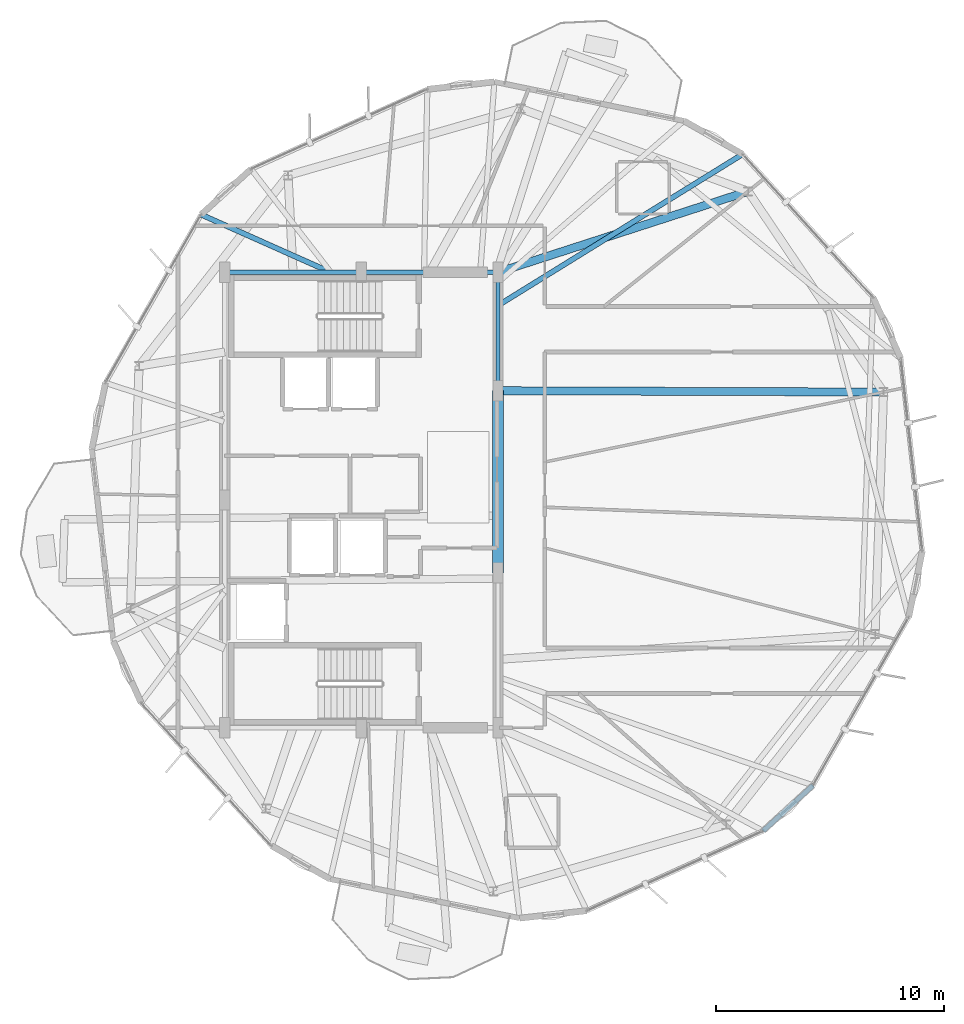
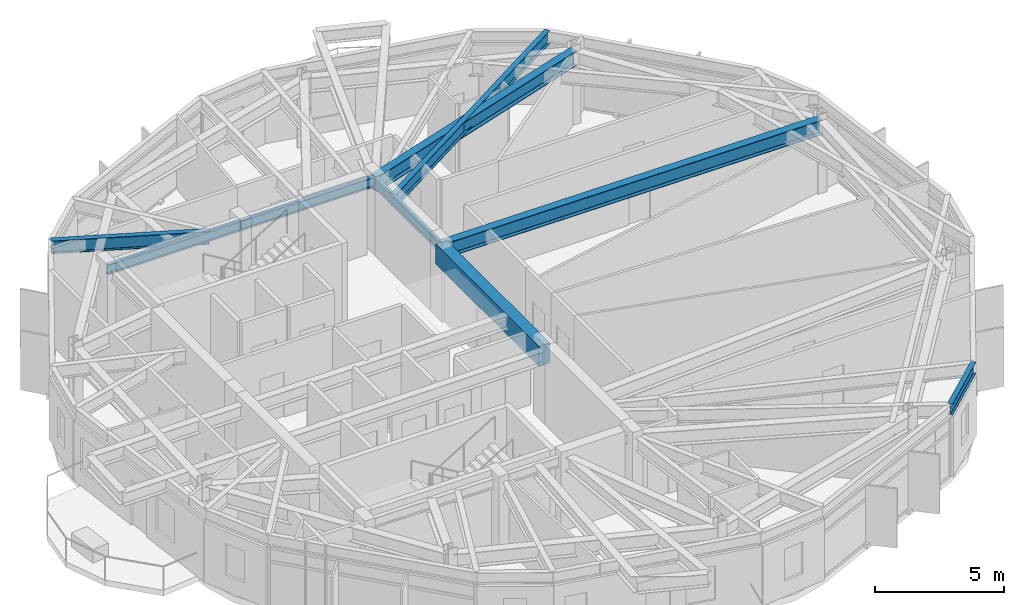
# One storey, part 9 of 23: 9 beams.
"""IFC4 building model written with IfcOpenShell, lengths in metres."""

import ifcopenshell
import ifcopenshell.guid

model = None  # the IFC model being written
_history = None  # IfcOwnerHistory: only IFC2X3 demands one
_inside = {}  # id of a spatial element -> (the spatial element, [elements in it])
_under = {}  # id of a project, library or spatial element -> (it, [spatial elements below it])
_declared = {}  # id of a project -> (the project, [libraries it declares])
_typed = {}  # id of a type object -> (the type object, [elements of that type])
_made_of = {}  # id of a material, layer set ... -> (it, [elements and type objects made of it])


def new_model(schema):
    """Start an empty IFC model of exactly this schema.

    Asked for "IFC4X3", IfcOpenShell would pick the latest addendum, in which some entities
    have other attributes; the version numbers below select the first issue.
    IFC2X3 requires an IfcOwnerHistory on every rooted entity: one is made here for all.
    """
    global model, _history
    if schema == "IFC4X3":
        model = ifcopenshell.file(schema_version=(4, 3, 0, 0))
    else:
        model = ifcopenshell.file(schema=schema)
    _inside.clear()
    _under.clear()
    _declared.clear()
    _typed.clear()
    _made_of.clear()
    _history = None
    if model.schema == "IFC2X3":
        org = make("IfcOrganization", Name="unknown")
        user = make(
            "IfcPersonAndOrganization",
            ThePerson=make("IfcPerson", FamilyName="unknown"),
            TheOrganization=org,
        )
        app = make(
            "IfcApplication",
            ApplicationDeveloper=org,
            Version="unknown",
            ApplicationFullName="unknown",
            ApplicationIdentifier="unknown",
        )
        _history = make(
            "IfcOwnerHistory",
            OwningUser=user,
            OwningApplication=app,
            ChangeAction="ADDED",
            CreationDate=0,
        )
    return model


def make(cls, **values):
    """One entity of the class cls with the attributes given. An attribute that is None is left unset."""
    return model.create_entity(
        cls, **{name: value for name, value in values.items() if value is not None}
    )


def rooted(cls, **values):
    """An entity with a GlobalId (a new one), such as an element, a storey or a relation."""
    return make(cls, GlobalId=ifcopenshell.guid.new(), OwnerHistory=_history, **values)


def si_unit(unit_type, name, prefix=None):
    """IfcSIUnit, for example si_unit("LENGTHUNIT", "METRE", prefix="MILLI")."""
    return make("IfcSIUnit", UnitType=unit_type, Prefix=prefix, Name=name)


def assignment(units):
    """IfcUnitAssignment: the units of a project."""
    return None if units is None else make("IfcUnitAssignment", Units=units)


def point(xyz):
    """IfcCartesianPoint."""
    return None if xyz is None else make("IfcCartesianPoint", Coordinates=xyz)


def direction(xyz):
    """IfcDirection."""
    return None if xyz is None else make("IfcDirection", DirectionRatios=xyz)


def frame(location, z_axis=None, x_axis=None):
    """IfcAxis2Placement3D, a coordinate frame: its origin and axes. An axis left out is left unset."""
    return make(
        "IfcAxis2Placement3D",
        Location=point(location),
        Axis=direction(z_axis),
        RefDirection=direction(x_axis),
    )


def frame_2d(location, x_axis=None):
    """IfcAxis2Placement2D, a coordinate frame in the plane: its origin and x axis."""
    return make(
        "IfcAxis2Placement2D", Location=point(location), RefDirection=direction(x_axis)
    )


def origin():
    """The frame at (0, 0, 0) with its axes left unset."""
    return frame((0.0, 0.0, 0.0))


def origin_2d():
    """The frame at (0, 0) in the plane with its x axis left unset."""
    return frame_2d((0.0, 0.0))


def place(relative_to, where):
    """IfcLocalPlacement: puts the frame where relative to a parent placement (None: the world)."""
    return make(
        "IfcLocalPlacement", PlacementRelTo=relative_to, RelativePlacement=where
    )


def context(
    kind, dimensions, precision=None, world=None, true_north=None, identifier=None
):
    """IfcGeometricRepresentationContext, for example the 3D "Model" context."""
    return make(
        "IfcGeometricRepresentationContext",
        ContextIdentifier=identifier,
        ContextType=kind,
        CoordinateSpaceDimension=dimensions,
        Precision=precision,
        WorldCoordinateSystem=world,
        TrueNorth=true_north,
    )


def subcontext(parent, identifier, kind, view, scale=None):
    """IfcGeometricRepresentationSubContext, for example "Body" below "Model"."""
    return make(
        "IfcGeometricRepresentationSubContext",
        ContextIdentifier=identifier,
        ContextType=kind,
        ParentContext=parent,
        TargetScale=scale,
        TargetView=view,
    )


def project(units=None, contexts=None):
    """IfcProject with its units and contexts."""
    return rooted(
        "IfcProject",
        Name="project",
        RepresentationContexts=contexts,
        UnitsInContext=assignment(units),
    )


def spatial(cls, under=None, at=None, **own):
    """A site, building, storey or space (cls), placed at a placement, below another one or the project."""
    s = rooted(cls, ObjectPlacement=at, **own)
    if under is not None:
        _under.setdefault(under.id(), (under, []))[1].append(s)
    return s


def profile(cls, at=None, kind="AREA", **sizes):
    """A parametric profile (cls). Its sizes go by their IFC names, for example OverallWidth=200.0."""
    return make(cls, ProfileType=kind, Position=at, **sizes)


def rectangle(**sizes):
    """IfcRectangleProfileDef."""
    return profile("IfcRectangleProfileDef", **sizes)


def i_section(**sizes):
    """IfcIShapeProfileDef."""
    return profile("IfcIShapeProfileDef", **sizes)


def extrude(swept, where, along, depth):
    """IfcExtrudedAreaSolid: the profile swept, set in the frame where, extruded along a direction by depth."""
    return make(
        "IfcExtrudedAreaSolid",
        SweptArea=swept,
        Position=where,
        ExtrudedDirection=direction(along),
        Depth=depth,
    )


def shape(context_of_items, identifier, shape_type, items):
    """IfcShapeRepresentation: the items that make up one representation, for example the "Body"."""
    return make(
        "IfcShapeRepresentation",
        ContextOfItems=context_of_items,
        RepresentationIdentifier=identifier,
        RepresentationType=shape_type,
        Items=items,
    )


def material(Name=None, Category=None):
    """IfcMaterial."""
    return make("IfcMaterial", Name=Name, Category=Category)


def material_profile(
    of_material, cross_section, Name=None, Category=None, Priority=None
):
    """IfcMaterialProfile: a cross section and its material."""
    return make(
        "IfcMaterialProfile",
        Name=Name,
        Material=of_material,
        Profile=cross_section,
        Priority=Priority,
        Category=Category,
    )


def profile_set(profiles, Name=None, composite=None):
    """IfcMaterialProfileSet."""
    return make(
        "IfcMaterialProfileSet",
        Name=Name,
        MaterialProfiles=profiles,
        CompositeProfile=composite,
    )


def made_of(thing, what):
    """Note that an element or type object is made of a material, layer set ...; save() writes the relation."""
    if what is not None:
        _made_of.setdefault(what.id(), (what, []))[1].append(thing)
    return thing


def type_object(cls, material=None, **own):
    """A type object (cls), such as IfcWallType, which elements share."""
    return made_of(rooted(cls, **own), material)


def element(
    cls,
    number,
    at=None,
    inside=None,
    cuts=None,
    type_object=None,
    material=None,
    context=None,
    identifier="Body",
    shape_type=None,
    held_by="IfcProductDefinitionShape",
    body=None,
    shapes=None,
    **own,
):
    """One element of the class cls, such as IfcWall. Its Tag is "e" and its number.

    at: its placement. inside: the storey or other place that contains it. cuts: it is an
    opening in that element (IfcRelVoidsElement). A single representation is given by context,
    identifier, shape_type and body (its items); several are given by shapes. held_by: the class
    of the entity that holds the representations. save() writes the other relations.
    """
    e = rooted(cls, Tag="e%d" % number, ObjectPlacement=at, **own)
    if body is not None:
        shapes = [shape(context, identifier, shape_type, body)]
    if shapes is not None:
        e.Representation = make(held_by, Representations=shapes)
    if inside is not None:
        _inside.setdefault(inside.id(), (inside, []))[1].append(e)
    if cuts is not None:
        rooted(
            "IfcRelVoidsElement", RelatingBuildingElement=cuts, RelatedOpeningElement=e
        )
    if type_object is not None:
        _typed.setdefault(type_object.id(), (type_object, []))[1].append(e)
    return made_of(e, material)


def aggregate(whole, parts):
    """IfcRelAggregates: a whole, such as a stair, and the parts it consists of."""
    return rooted("IfcRelAggregates", RelatingObject=whole, RelatedObjects=parts)


def save(model, path):
    """Write the relations noted so far, then the file.

    IfcRelAggregates (storeys below a building ...), IfcRelContainedInSpatialStructure (elements
    in a storey), IfcRelDefinesByType, IfcRelAssociatesMaterial and IfcRelDeclares: one each for
    every whole, place, type object, material and project.
    """
    for whole, parts in _under.values():
        aggregate(whole, parts)
    for where, things in _inside.values():
        rooted(
            "IfcRelContainedInSpatialStructure",
            RelatedElements=things,
            RelatingStructure=where,
        )
    for kind, things in _typed.values():
        rooted("IfcRelDefinesByType", RelatedObjects=things, RelatingType=kind)
    for what, things in _made_of.values():
        rooted("IfcRelAssociatesMaterial", RelatedObjects=things, RelatingMaterial=what)
    for by, libraries in _declared.values():
        rooted("IfcRelDeclares", RelatingContext=by, RelatedDefinitions=libraries)
    model.write(path)


model = new_model("IFC4")

# Units and contexts
model_context = context("Model", 3, precision=1e-05, world=origin(), true_north=direction((0.0, 1.0)))
body_context = subcontext(model_context, "Body", "Model", "MODEL_VIEW")
ifc_project = project(units=[si_unit("LENGTHUNIT", "METRE"), si_unit("AREAUNIT", "SQUARE_METRE"), si_unit("VOLUMEUNIT", "CUBIC_METRE"), si_unit("PLANEANGLEUNIT", "RADIAN"), si_unit("MASSUNIT", "GRAM", prefix="KILO")], contexts=[model_context])

# Site, building, storey
site_placement = place(None, origin())
site = spatial("IfcSite", under=ifc_project, at=site_placement, CompositionType="ELEMENT")
building_placement = place(site_placement, origin())
building = spatial("IfcBuilding", under=site, at=building_placement, Name="Soratama Intermodal Tower", CompositionType="ELEMENT")
storey_placement = place(building_placement, frame((0.0, 0.0, 257.5)))
storey = spatial("IfcBuildingStorey", under=building, at=storey_placement, Name="L65", CompositionType="ELEMENT", Elevation=257.5)

# Beams
ifc_material_1 = material(Name="Concrete f'c 56 MPa", Category="concrete")
ifc_material_profile_1 = material_profile(ifc_material_1, rectangle(XDim=0.5, YDim=0.949951171875, at=origin_2d()), Name="RC500X950")
ifc_profile_set_1 = profile_set([ifc_material_profile_1], Name="Concrete f'c 56 MPa")
beam_type_1 = type_object("IfcBeamType", Name="BM-CPL-RC500X950", PredefinedType="BEAM", material=ifc_profile_set_1)
beam_1_placement = place(storey_placement, frame((44.60009765625, 21.800048828125, 2.97509765625), z_axis=(0.0, 1.0, 0.0), x_axis=(-1.0, 0.0, 0.0)))
element("IfcBeam", 1, at=beam_1_placement, inside=storey, type_object=beam_type_1, Name="L65 Core Coupling Beam East", PredefinedType="BEAM", context=body_context, shape_type="SweptSolid", body=[
    extrude(rectangle(XDim=0.5, YDim=0.949951171875, at=origin_2d()), origin(), (0.0, 0.0, 1.0), 8.0),
])
ifc_material_2 = material(Name="Structural steel ASTM A992 Grade 50", Category="steel")
ifc_material_profile_2 = material_profile(ifc_material_2, i_section(OverallWidth=0.19091796875, OverallDepth=0.4599609375, WebThickness=0.010009765625, FlangeThickness=0.01611328125, FilletRadius=0.010986328125, at=origin_2d()), Name="W18X55")
ifc_profile_set_2 = profile_set([ifc_material_profile_2], Name="Structural steel ASTM A992 Grade 50")
beam_type_2 = type_object("IfcBeamType", Name="BM-FLR-W18X55", PredefinedType="BEAM", material=ifc_profile_set_2)
beam_2_placement = place(storey_placement, frame((44.60009765625, 29.800048828125, 3.219970703125), z_axis=(0.0, 1.0, 0.0), x_axis=(-1.0, 0.0, 0.0)))
element("IfcBeam", 2, at=beam_2_placement, inside=storey, type_object=beam_type_2, Name="BM-L65-CRING-05", PredefinedType="BEAM", context=body_context, shape_type="SweptSolid", body=[
    extrude(i_section(OverallWidth=0.19091796875, OverallDepth=0.4599609375, WebThickness=0.010009765625, FlangeThickness=0.01611328125, FilletRadius=0.010986328125, at=origin_2d()), origin(), (0.0, 0.0, 1.0), 5.199951171875),
])
for number, where, z_axis, x_axis, name in (
    (3, (44.60009765625, 35.0, 3.219970703125), (-1.0, 0.0, 0.0), (0.0, -1.0, 0.0), "BM-L65-CRING-06"),
    (4, (38.60009765625, 35.0, 3.219970703125), (-1.0, 0.0, 0.0), (0.0, -1.0, 0.0), "BM-L65-CRING-07"),
):
    element("IfcBeam", number, at=place(storey_placement, frame(where, z_axis=z_axis, x_axis=x_axis)), inside=storey, type_object=beam_type_2, Name=name, PredefinedType="BEAM", context=body_context, shape_type="SweptSolid", body=[
        extrude(i_section(OverallWidth=0.19091796875, OverallDepth=0.4599609375, WebThickness=0.010009765625, FlangeThickness=0.01611328125, FilletRadius=0.010986328125, at=origin_2d()), origin(), (0.0, 0.0, 1.0), 6.0),
    ])
ifc_material_3 = material(Name="Structural steel ASTM A992 Grade 50", Category="steel")
ifc_material_profile_3 = material_profile(ifc_material_3, i_section(OverallWidth=0.35498046875, OverallDepth=0.695068359375, WebThickness=0.015380859375, FlangeThickness=0.02490234375, FilletRadius=0.01611328125, at=origin_2d()), Name="W27X146")
ifc_profile_set_3 = profile_set([ifc_material_profile_3], Name="Structural steel ASTM A992 Grade 50")
beam_type_3 = type_object("IfcBeamType", Name="BM-RING-W27X146", PredefinedType="BEAM", material=ifc_profile_set_3)
beam_3_placement = place(storey_placement, frame((44.60009765625, 29.800048828125, 3.1025390625), z_axis=(0.999993913522, -0.003488971138, 0.0), x_axis=(0.003488971138, 0.999993913522, 0.0)))
element("IfcBeam", 5, at=beam_3_placement, inside=storey, type_object=beam_type_3, Name="BM-L65-RAD-01", PredefinedType="BEAM", context=body_context, shape_type="SweptSolid", body=[
    extrude(i_section(OverallWidth=0.35498046875, OverallDepth=0.695068359375, WebThickness=0.015380859375, FlangeThickness=0.02490234375, FilletRadius=0.01611328125, at=origin_2d()), origin(), (0.0, 0.0, 1.0), 16.933837890625),
])
beam_4_placement = place(storey_placement, frame((44.60009765625, 35.0, 3.1025390625), z_axis=(0.95147783512, 0.307717287904, 0.0), x_axis=(-0.307717287904, 0.95147783512, 0.0)))
element("IfcBeam", 6, at=beam_4_placement, inside=storey, type_object=beam_type_3, Name="BM-L65-RAD-02", PredefinedType="BEAM", context=body_context, shape_type="SweptSolid", body=[
    extrude(i_section(OverallWidth=0.35498046875, OverallDepth=0.695068359375, WebThickness=0.015380859375, FlangeThickness=0.02490234375, FilletRadius=0.01611328125, at=origin_2d()), origin(), (0.0, 0.0, 1.0), 11.54931640625),
])
ifc_material_4 = material(Name="Structural steel ASTM A992 Grade 50", Category="steel")
ifc_material_profile_4 = material_profile(ifc_material_4, i_section(OverallWidth=0.2099609375, OverallDepth=0.537109375, WebThickness=0.010986328125, FlangeThickness=0.017333984375, FilletRadius=0.012939453125, at=origin_2d()), Name="W21X68")
ifc_profile_set_4 = profile_set([ifc_material_profile_4], Name="Structural steel ASTM A992 Grade 50")
beam_type_4 = type_object("IfcBeamType", Name="BM-SPN-W21X68", PredefinedType="SPANDREL", material=ifc_profile_set_4)
beam_5_placement = place(storey_placement, frame((56.24609375, 10.465087890625, 3.181396484375), z_axis=(0.738866659174, 0.673851660205, 0.0), x_axis=(-0.673851660205, 0.738866659174, 0.0)))
element("IfcBeam", 7, at=beam_5_placement, inside=storey, type_object=beam_type_4, Name="BS-L65-CRN07", PredefinedType="SPANDREL", context=body_context, shape_type="SweptSolid", body=[
    extrude(i_section(OverallWidth=0.2099609375, OverallDepth=0.537109375, WebThickness=0.010986328125, FlangeThickness=0.017333984375, FilletRadius=0.012939453125, at=origin_2d()), origin(), (0.0, 0.0, 1.0), 2.966552734375),
])
ifc_material_5 = material(Name="Structural steel ASTM A992 Grade 50", Category="steel")
ifc_material_profile_5 = material_profile(ifc_material_5, i_section(OverallWidth=0.22900390625, OverallDepth=0.612060546875, WebThickness=0.011962890625, FlangeThickness=0.01953125, FilletRadius=0.012939453125, at=origin_2d()), Name="W24X84")
ifc_profile_set_5 = profile_set([ifc_material_profile_5], Name="Structural steel ASTM A992 Grade 50")
beam_type_5 = type_object("IfcBeamType", Name="BM-TIE-W24X84", PredefinedType="BEAM", material=ifc_profile_set_5)
beam_6_placement = place(storey_placement, frame((37.218994140625, 35.01611328125, 3.14404296875), z_axis=(-0.913504073326, 0.406829581049, 0.0), x_axis=(-0.406829581049, -0.913504073326, 0.0)))
element("IfcBeam", 8, at=beam_6_placement, inside=storey, type_object=beam_type_5, Name="BM-L65-TIE0-03", PredefinedType="BEAM", context=body_context, shape_type="SweptSolid", body=[
    extrude(i_section(OverallWidth=0.22900390625, OverallDepth=0.612060546875, WebThickness=0.011962890625, FlangeThickness=0.01953125, FilletRadius=0.012939453125, at=origin_2d()), origin(), (0.0, 0.0, 1.0), 6.193603515625),
])
beam_7_placement = place(storey_placement, frame((44.634033203125, 33.56201171875, 3.14404296875), z_axis=(0.85049305764, 0.525986272545, 0.0), x_axis=(-0.525986272545, 0.85049305764, 0.0)))
element("IfcBeam", 9, at=beam_7_placement, inside=storey, type_object=beam_type_5, Name="BM-L65-TIE1-10", PredefinedType="BEAM", context=body_context, shape_type="SweptSolid", body=[
    extrude(i_section(OverallWidth=0.22900390625, OverallDepth=0.612060546875, WebThickness=0.011962890625, FlangeThickness=0.01953125, FilletRadius=0.012939453125, at=origin_2d()), origin(), (0.0, 0.0, 1.0), 12.59716796875),
])

save(model, "model.ifc")
